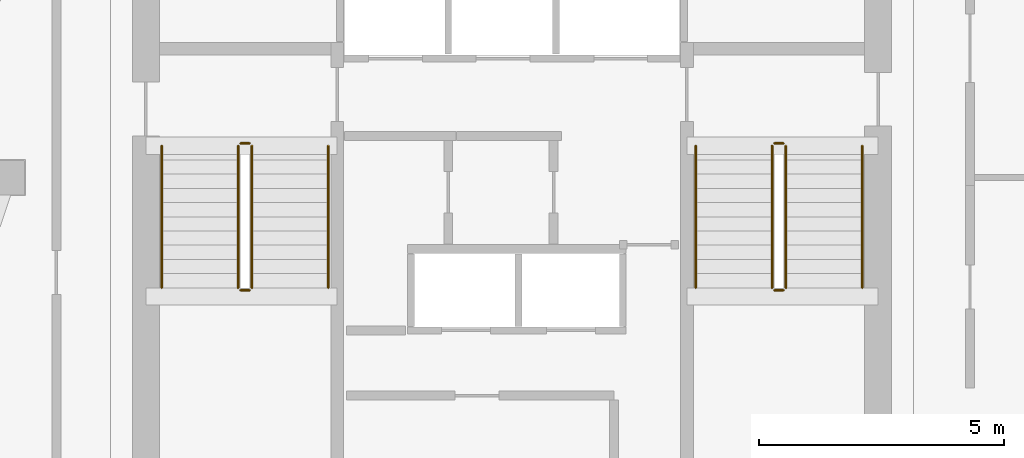
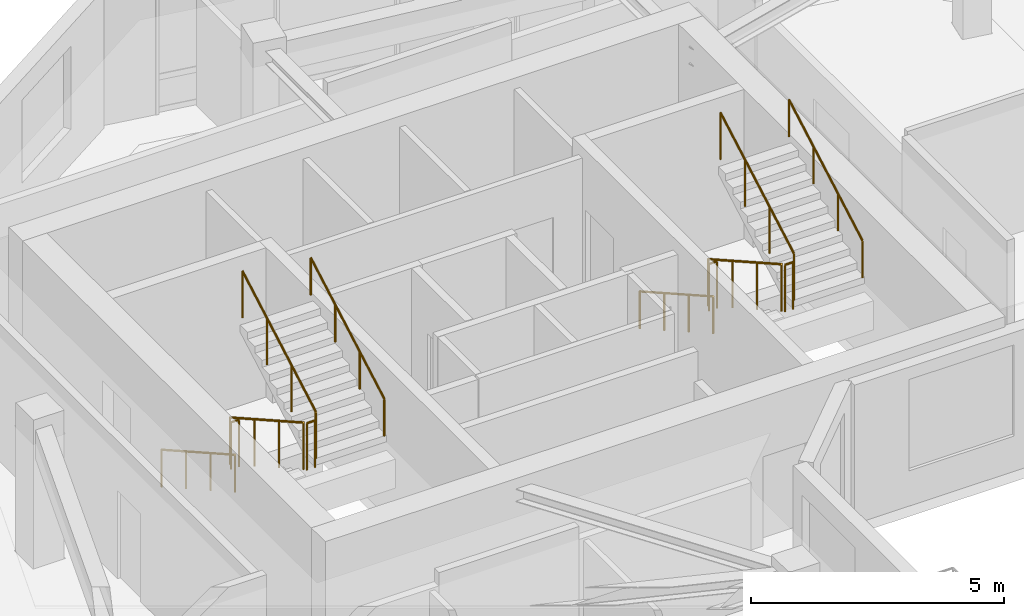
# One storey, part 7 of 7: 12 railings.
"""IFC4 building model written with IfcOpenShell, lengths in metres."""

from ifc_helpers import new_model, si_unit, direction, frame, origin, origin_2d, place, context, subcontext, project, spatial, circle, extrude, material, type_object, element, save


model = new_model("IFC4")

# Units and contexts
model_context = context("Model", 3, precision=1e-05, world=origin(), true_north=direction((0.0, 1.0)))
body_context = subcontext(model_context, "Body", "Model", "MODEL_VIEW")
ifc_project = project(units=[si_unit("LENGTHUNIT", "METRE"), si_unit("AREAUNIT", "SQUARE_METRE"), si_unit("VOLUMEUNIT", "CUBIC_METRE"), si_unit("PLANEANGLEUNIT", "RADIAN"), si_unit("MASSUNIT", "GRAM", prefix="KILO")], contexts=[model_context])

# Site, building, storey
site_placement = place(None, origin())
site = spatial("IfcSite", under=ifc_project, at=site_placement, CompositionType="ELEMENT")
building_placement = place(site_placement, origin())
building = spatial("IfcBuilding", under=site, at=building_placement, Name="Calvemar Wedge Station Tower", CompositionType="ELEMENT")
storey_placement = place(building_placement, frame((0.0, 0.0, 288.89990234375)))
storey = spatial("IfcBuildingStorey", under=building, at=storey_placement, Name="L74", CompositionType="ELEMENT", Elevation=288.89990234375)

# Railings
ifc_material_1 = material(Name="Stainless steel AISI 316L", Category="steel")
railing_type_1 = type_object("IfcRailingType", Name="RL-HANDRAIL-920", PredefinedType="HANDRAIL", material=ifc_material_1)
railing_1_placement = place(storey_placement, frame((16.64990234375, 41.14990234375, 0.163818359375)))
element("IfcRailing", 1, at=railing_1_placement, inside=storey, type_object=railing_type_1, Name="L74 ST-C1 stair handrail 1", PredefinedType="HANDRAIL", context=body_context, shape_type="SweptSolid", body=[
    extrude(circle(Radius=0.02392578125, at=origin_2d()), frame((0.0, 0.0, 0.89599609375), z_axis=(0.0, -0.870928581787, 0.491409610636), x_axis=(1.0, 0.0, 0.0)), (0.0, 0.0, 1.0), 3.32958984375),
    extrude(circle(Radius=0.02099609375, at=origin_2d()), origin(), (0.0, 0.0, 1.0), 0.871826171875),
    extrude(circle(Radius=0.02099609375, at=origin_2d()), frame((0.0, -0.966552734375, 0.54541015625)), (0.0, 0.0, 1.0), 0.871826171875),
    extrude(circle(Radius=0.02099609375, at=origin_2d()), frame((0.0, -1.933349609375, 1.0908203125)), (0.0, 0.0, 1.0), 0.871826171875),
    extrude(circle(Radius=0.02099609375, at=origin_2d()), frame((0.0, -2.89990234375, 1.63623046875)), (0.0, 0.0, 1.0), 0.871826171875),
])
railing_2_placement = place(storey_placement, frame((20.050048828125, 38.25, 1.963623046875)))
element("IfcRailing", 2, at=railing_2_placement, inside=storey, type_object=railing_type_1, Name="L74 ST-C1 stair handrail 2", PredefinedType="HANDRAIL", context=body_context, shape_type="SweptSolid", body=[
    extrude(circle(Radius=0.02392578125, at=origin_2d()), frame((0.0, 0.0, 0.89599609375), z_axis=(0.0, 0.870897200241, 0.491465224214), x_axis=(-1.0, 0.0, 0.0)), (0.0, 0.0, 1.0), 3.329833984375),
    extrude(circle(Radius=0.02099609375, at=origin_2d()), origin(), (0.0, 0.0, 1.0), 0.871826171875),
    extrude(circle(Radius=0.02099609375, at=origin_2d()), frame((0.0, 0.966552734375, 0.54541015625)), (0.0, 0.0, 1.0), 0.871826171875),
    extrude(circle(Radius=0.02099609375, at=origin_2d()), frame((0.0, 1.933349609375, 1.091064453125)), (0.0, 0.0, 1.0), 0.871826171875),
    extrude(circle(Radius=0.02099609375, at=origin_2d()), frame((0.0, 2.89990234375, 1.636474609375)), (0.0, 0.0, 1.0), 0.871826171875),
])
railing_3_placement = place(storey_placement, frame((27.550048828125, 41.14990234375, 0.163818359375)))
element("IfcRailing", 3, at=railing_3_placement, inside=storey, type_object=railing_type_1, Name="L74 ST-C2 stair handrail 1", PredefinedType="HANDRAIL", context=body_context, shape_type="SweptSolid", body=[
    extrude(circle(Radius=0.02392578125, at=origin_2d()), frame((0.0, 0.0, 0.89599609375), z_axis=(0.0, -0.870928581787, 0.491409610636), x_axis=(1.0, 0.0, 0.0)), (0.0, 0.0, 1.0), 3.32958984375),
    extrude(circle(Radius=0.02099609375, at=origin_2d()), origin(), (0.0, 0.0, 1.0), 0.871826171875),
    extrude(circle(Radius=0.02099609375, at=origin_2d()), frame((0.0, -0.966552734375, 0.54541015625)), (0.0, 0.0, 1.0), 0.871826171875),
    extrude(circle(Radius=0.02099609375, at=origin_2d()), frame((0.0, -1.933349609375, 1.0908203125)), (0.0, 0.0, 1.0), 0.871826171875),
    extrude(circle(Radius=0.02099609375, at=origin_2d()), frame((0.0, -2.89990234375, 1.63623046875)), (0.0, 0.0, 1.0), 0.871826171875),
])
railing_4_placement = place(storey_placement, frame((30.949951171875, 38.25, 1.963623046875)))
element("IfcRailing", 4, at=railing_4_placement, inside=storey, type_object=railing_type_1, Name="L74 ST-C2 stair handrail 2", PredefinedType="HANDRAIL", context=body_context, shape_type="SweptSolid", body=[
    extrude(circle(Radius=0.02392578125, at=origin_2d()), frame((0.0, 0.0, 0.89599609375), z_axis=(0.0, 0.870897200241, 0.491465224214), x_axis=(-1.0, 0.0, 0.0)), (0.0, 0.0, 1.0), 3.329833984375),
    extrude(circle(Radius=0.02099609375, at=origin_2d()), origin(), (0.0, 0.0, 1.0), 0.871826171875),
    extrude(circle(Radius=0.02099609375, at=origin_2d()), frame((0.0, 0.966552734375, 0.54541015625)), (0.0, 0.0, 1.0), 0.871826171875),
    extrude(circle(Radius=0.02099609375, at=origin_2d()), frame((0.0, 1.933349609375, 1.091064453125)), (0.0, 0.0, 1.0), 0.871826171875),
    extrude(circle(Radius=0.02099609375, at=origin_2d()), frame((0.0, 2.89990234375, 1.636474609375)), (0.0, 0.0, 1.0), 0.871826171875),
])
ifc_material_2 = material(Name="Painted steel guardrail ASTM A500 Grade C", Category="steel")
railing_type_2 = type_object("IfcRailingType", Name="RL-STAIR-GUARD-1150", PredefinedType="GUARDRAIL", material=ifc_material_2)
railing_5_placement = place(storey_placement, frame((18.2099609375, 41.14990234375, 0.163818359375)))
element("IfcRailing", 5, at=railing_5_placement, inside=storey, type_object=railing_type_2, Name="L74 ST-C1 stair guard 1", PredefinedType="GUARDRAIL", context=body_context, shape_type="SweptSolid", body=[
    extrude(circle(Radius=0.02392578125, at=origin_2d()), frame((0.0, 0.0, 1.1259765625), z_axis=(0.0, -0.870928581787, 0.491409610636), x_axis=(1.0, 0.0, 0.0)), (0.0, 0.0, 1.0), 3.32958984375),
    extrude(circle(Radius=0.02099609375, at=origin_2d()), origin(), (0.0, 0.0, 1.0), 1.101806640625),
    extrude(circle(Radius=0.02099609375, at=origin_2d()), frame((0.0, -0.966552734375, 0.54541015625)), (0.0, 0.0, 1.0), 1.101806640625),
    extrude(circle(Radius=0.02099609375, at=origin_2d()), frame((0.0, -1.933349609375, 1.0908203125)), (0.0, 0.0, 1.0), 1.101806640625),
    extrude(circle(Radius=0.02099609375, at=origin_2d()), frame((0.0, -2.89990234375, 1.63623046875)), (0.0, 0.0, 1.0), 1.101806640625),
])
railing_6_placement = place(storey_placement, frame((18.260009765625, 38.199951171875, 1.800048828125)))
element("IfcRailing", 6, at=railing_6_placement, inside=storey, type_object=railing_type_2, Name="L74 ST-C1 stair guard 2", PredefinedType="GUARDRAIL", context=body_context, shape_type="SweptSolid", body=[
    extrude(circle(Radius=0.02392578125, at=origin_2d()), frame((0.0, 0.0, 1.1259765625), z_axis=(1.0, 0.0, 0.0), x_axis=(0.0, 1.0, 0.0)), (0.0, 0.0, 1.0), 0.179931640625),
    extrude(circle(Radius=0.02099609375, at=origin_2d()), origin(), (0.0, 0.0, 1.0), 1.101806640625),
    extrude(circle(Radius=0.02099609375, at=origin_2d()), frame((0.179931640625, 0.0, 0.0)), (0.0, 0.0, 1.0), 1.101806640625),
])
railing_7_placement = place(storey_placement, frame((18.489990234375, 38.25, 1.963623046875)))
element("IfcRailing", 7, at=railing_7_placement, inside=storey, type_object=railing_type_2, Name="L74 ST-C1 stair guard 3", PredefinedType="GUARDRAIL", context=body_context, shape_type="SweptSolid", body=[
    extrude(circle(Radius=0.02392578125, at=origin_2d()), frame((0.0, 0.0, 1.1259765625), z_axis=(0.0, 0.870897200241, 0.491465224214), x_axis=(-1.0, 0.0, 0.0)), (0.0, 0.0, 1.0), 3.329833984375),
    extrude(circle(Radius=0.02099609375, at=origin_2d()), origin(), (0.0, 0.0, 1.0), 1.101806640625),
    extrude(circle(Radius=0.02099609375, at=origin_2d()), frame((0.0, 0.966552734375, 0.54541015625)), (0.0, 0.0, 1.0), 1.101806640625),
    extrude(circle(Radius=0.02099609375, at=origin_2d()), frame((0.0, 1.933349609375, 1.091064453125)), (0.0, 0.0, 1.0), 1.101806640625),
    extrude(circle(Radius=0.02099609375, at=origin_2d()), frame((0.0, 2.89990234375, 1.636474609375)), (0.0, 0.0, 1.0), 1.101806640625),
])
railing_8_placement = place(storey_placement, frame((18.260009765625, 41.199951171875, 0.0)))
element("IfcRailing", 8, at=railing_8_placement, inside=storey, type_object=railing_type_2, Name="L74 ST-C1 stair guard 4", PredefinedType="GUARDRAIL", context=body_context, shape_type="SweptSolid", body=[
    extrude(circle(Radius=0.02392578125, at=origin_2d()), frame((0.0, 0.0, 1.1259765625), z_axis=(1.0, 0.0, 0.0), x_axis=(0.0, 1.0, 0.0)), (0.0, 0.0, 1.0), 0.179931640625),
    extrude(circle(Radius=0.02099609375, at=origin_2d()), origin(), (0.0, 0.0, 1.0), 1.101806640625),
    extrude(circle(Radius=0.02099609375, at=origin_2d()), frame((0.179931640625, 0.0, 0.0)), (0.0, 0.0, 1.0), 1.101806640625),
])
railing_9_placement = place(storey_placement, frame((29.110107421875, 41.14990234375, 0.163818359375)))
element("IfcRailing", 9, at=railing_9_placement, inside=storey, type_object=railing_type_2, Name="L74 ST-C2 stair guard 1", PredefinedType="GUARDRAIL", context=body_context, shape_type="SweptSolid", body=[
    extrude(circle(Radius=0.02392578125, at=origin_2d()), frame((0.0, 0.0, 1.1259765625), z_axis=(0.0, -0.870928581787, 0.491409610636), x_axis=(1.0, 0.0, 0.0)), (0.0, 0.0, 1.0), 3.32958984375),
    extrude(circle(Radius=0.02099609375, at=origin_2d()), origin(), (0.0, 0.0, 1.0), 1.101806640625),
    extrude(circle(Radius=0.02099609375, at=origin_2d()), frame((0.0, -0.966552734375, 0.54541015625)), (0.0, 0.0, 1.0), 1.101806640625),
    extrude(circle(Radius=0.02099609375, at=origin_2d()), frame((0.0, -1.933349609375, 1.0908203125)), (0.0, 0.0, 1.0), 1.101806640625),
    extrude(circle(Radius=0.02099609375, at=origin_2d()), frame((0.0, -2.89990234375, 1.63623046875)), (0.0, 0.0, 1.0), 1.101806640625),
])
railing_10_placement = place(storey_placement, frame((29.159912109375, 38.199951171875, 1.800048828125)))
element("IfcRailing", 10, at=railing_10_placement, inside=storey, type_object=railing_type_2, Name="L74 ST-C2 stair guard 2", PredefinedType="GUARDRAIL", context=body_context, shape_type="SweptSolid", body=[
    extrude(circle(Radius=0.02392578125, at=origin_2d()), frame((0.0, 0.0, 1.1259765625), z_axis=(1.0, 0.0, 0.0), x_axis=(0.0, 1.0, 0.0)), (0.0, 0.0, 1.0), 0.18017578125),
    extrude(circle(Radius=0.02099609375, at=origin_2d()), origin(), (0.0, 0.0, 1.0), 1.101806640625),
    extrude(circle(Radius=0.02099609375, at=origin_2d()), frame((0.18017578125, 0.0, 0.0)), (0.0, 0.0, 1.0), 1.101806640625),
])
railing_11_placement = place(storey_placement, frame((29.389892578125, 38.25, 1.963623046875)))
element("IfcRailing", 11, at=railing_11_placement, inside=storey, type_object=railing_type_2, Name="L74 ST-C2 stair guard 3", PredefinedType="GUARDRAIL", context=body_context, shape_type="SweptSolid", body=[
    extrude(circle(Radius=0.02392578125, at=origin_2d()), frame((0.0, 0.0, 1.1259765625), z_axis=(0.0, 0.870897200241, 0.491465224214), x_axis=(-1.0, 0.0, 0.0)), (0.0, 0.0, 1.0), 3.329833984375),
    extrude(circle(Radius=0.02099609375, at=origin_2d()), origin(), (0.0, 0.0, 1.0), 1.101806640625),
    extrude(circle(Radius=0.02099609375, at=origin_2d()), frame((0.0, 0.966552734375, 0.54541015625)), (0.0, 0.0, 1.0), 1.101806640625),
    extrude(circle(Radius=0.02099609375, at=origin_2d()), frame((0.0, 1.933349609375, 1.091064453125)), (0.0, 0.0, 1.0), 1.101806640625),
    extrude(circle(Radius=0.02099609375, at=origin_2d()), frame((0.0, 2.89990234375, 1.636474609375)), (0.0, 0.0, 1.0), 1.101806640625),
])
railing_12_placement = place(storey_placement, frame((29.159912109375, 41.199951171875, 0.0)))
element("IfcRailing", 12, at=railing_12_placement, inside=storey, type_object=railing_type_2, Name="L74 ST-C2 stair guard 4", PredefinedType="GUARDRAIL", context=body_context, shape_type="SweptSolid", body=[
    extrude(circle(Radius=0.02392578125, at=origin_2d()), frame((0.0, 0.0, 1.1259765625), z_axis=(1.0, 0.0, 0.0), x_axis=(0.0, 1.0, 0.0)), (0.0, 0.0, 1.0), 0.18017578125),
    extrude(circle(Radius=0.02099609375, at=origin_2d()), origin(), (0.0, 0.0, 1.0), 1.101806640625),
    extrude(circle(Radius=0.02099609375, at=origin_2d()), frame((0.18017578125, 0.0, 0.0)), (0.0, 0.0, 1.0), 1.101806640625),
])

save(model, "model.ifc")
